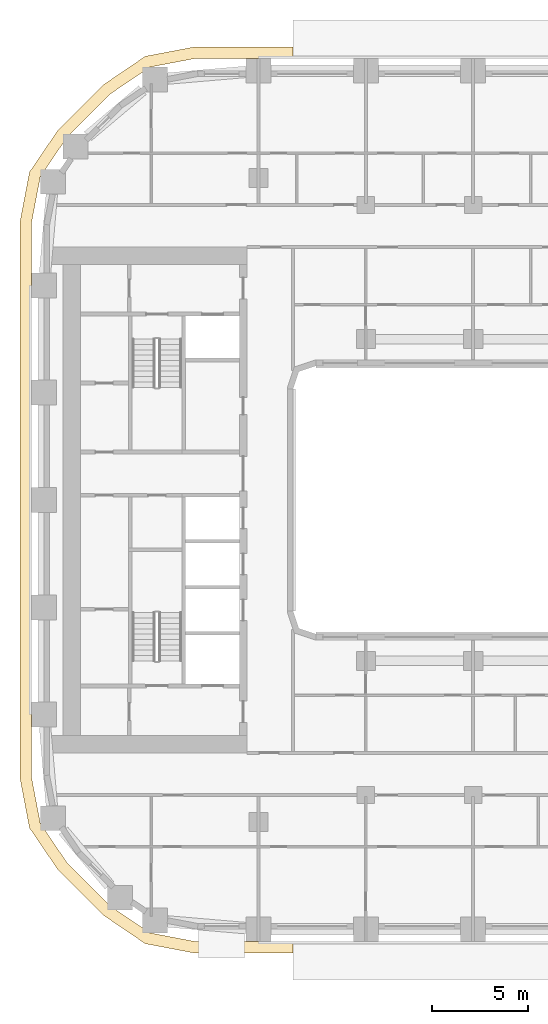
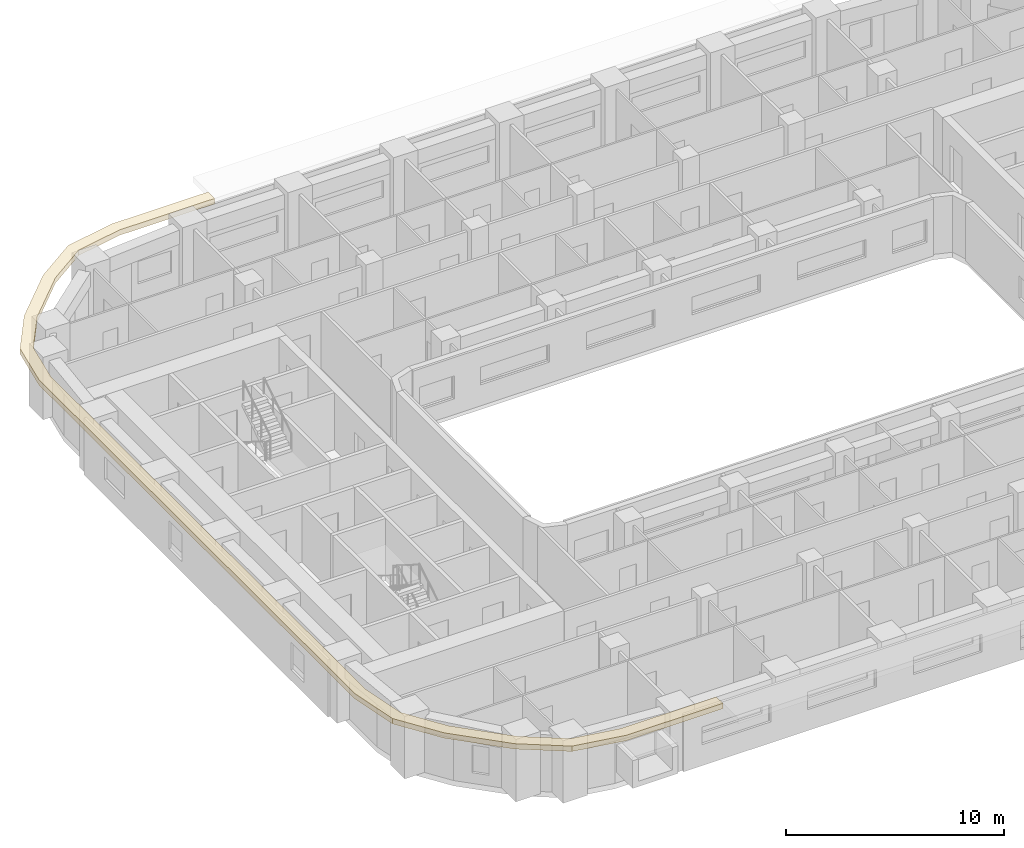
# One storey, part 14 of 21: 1 covering.
"""IFC4 building model written with IfcOpenShell, lengths in metres."""

from ifc_helpers import new_model, si_unit, direction, frame, origin, place, context, subcontext, project, spatial, polyline, outline, extrude, material, layer, layer_set, type_object, element, save


model = new_model("IFC4")

# Units and contexts
model_context = context("Model", 3, precision=1e-05, world=origin(), true_north=direction((0.0, 1.0)))
body_context = subcontext(model_context, "Body", "Model", "MODEL_VIEW")
ifc_project = project(units=[si_unit("LENGTHUNIT", "METRE"), si_unit("AREAUNIT", "SQUARE_METRE"), si_unit("VOLUMEUNIT", "CUBIC_METRE"), si_unit("PLANEANGLEUNIT", "RADIAN"), si_unit("MASSUNIT", "GRAM", prefix="KILO")], contexts=[model_context])

# Site, building, storey
site_placement = place(None, origin())
site = spatial("IfcSite", under=ifc_project, at=site_placement, CompositionType="ELEMENT")
building_placement = place(site_placement, origin())
building = spatial("IfcBuilding", under=site, at=building_placement, Name="Kiln Ring Residences", CompositionType="ELEMENT")
storey_placement = place(building_placement, frame((0.0, 0.0, 93.800048828125)))
storey = spatial("IfcBuildingStorey", under=building, at=storey_placement, Name="L23", CompositionType="ELEMENT", Elevation=93.800048828125)

# Covering
ifc_material = material(Name="Black powder-coated steel", Category="steel")
ifc_layer = layer(ifc_material, 0.300048828125)
ifc_layer_set = layer_set([ifc_layer], Name="SUNSHADE FIN 600")
covering_type = type_object("IfcCoveringType", Name="SUNSHADE FIN 600", PredefinedType="CLADDING", material=ifc_layer_set)
covering_placement = place(storey_placement, frame((0.0, 0.0, 3.199951171875)))
element("IfcCovering", 1, at=covering_placement, inside=storey, type_object=covering_type, Name="SUNSHADE FIN L23", PredefinedType="CLADDING", context=body_context, shape_type="SweptSolid", body=[
    extrude(outline(polyline([(-29.25, -14.51806640625), (-28.755126953125, -17.11279296875), (-27.2705078125, -19.29736328125), (-24.8974609375, -21.67041015625), (-22.712890625, -23.155029296875), (-20.1181640625, -23.64990234375), (-15.0, -23.64990234375), (-15.0, -23.050048828125), (-20.061279296875, -23.050048828125), (-22.478271484375, -22.589111328125), (-24.51318359375, -21.2060546875), (-26.805908203125, -18.9130859375), (-28.18896484375, -16.87841796875), (-28.64990234375, -14.46142578125), (-28.64990234375, 14.46142578125), (-28.18896484375, 16.87841796875), (-26.805908203125, 18.9130859375), (-24.51318359375, 21.2060546875), (-22.478271484375, 22.589111328125), (-20.061279296875, 23.050048828125), (-15.0, 23.050048828125), (-15.0, 23.64990234375), (-20.1181640625, 23.64990234375), (-22.712890625, 23.155029296875), (-24.8974609375, 21.67041015625), (-27.2705078125, 19.29736328125), (-28.755126953125, 17.11279296875), (-29.25, 14.51806640625), (-29.25, -14.51806640625)])), origin(), (0.0, 0.0, 1.0), 0.300048828125),
])

save(model, "model.ifc")
